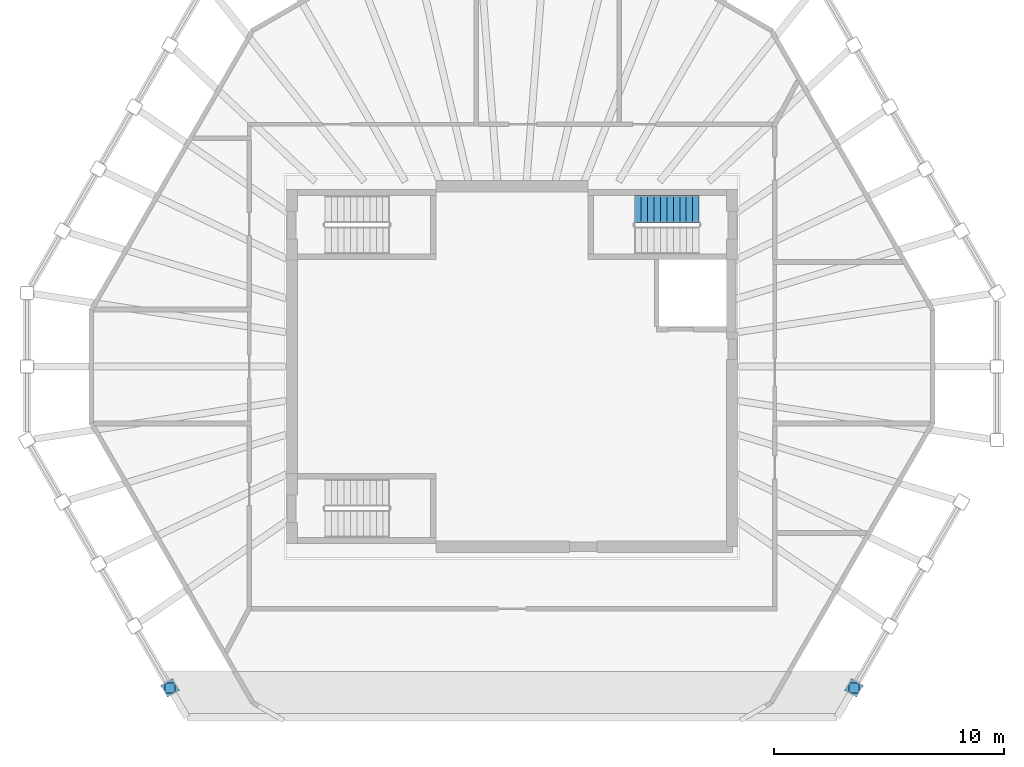
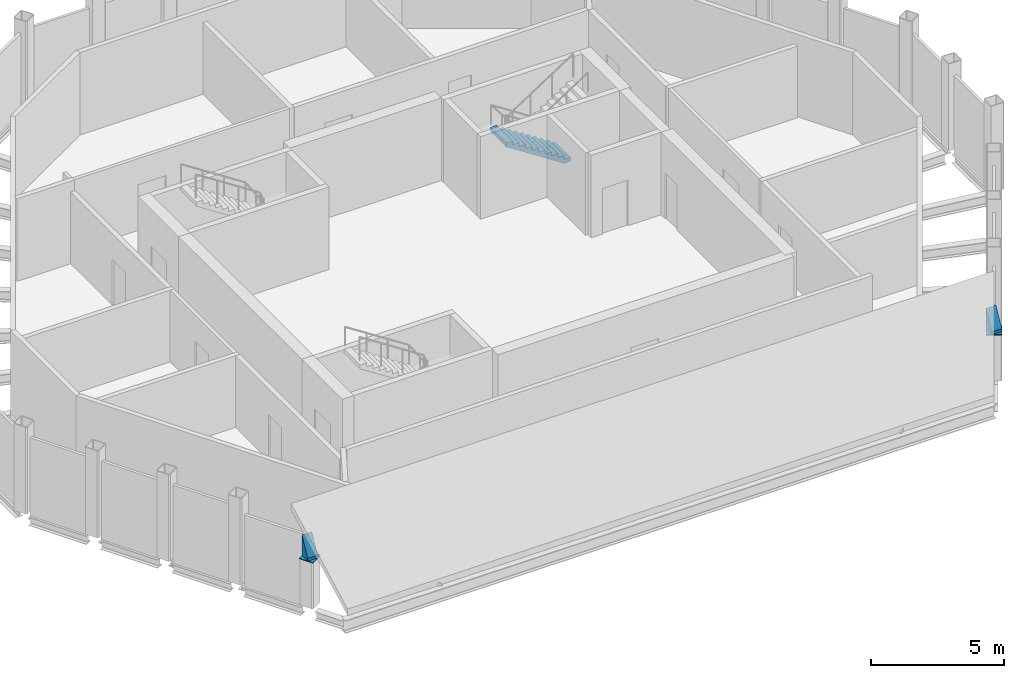
# One storey, part 4 of 5: 4 discrete accessories, 1 stair flight, 1 element without a shape of its own.
"""IFC4 building model written with IfcOpenShell, lengths in metres."""

from ifc_helpers import new_model, si_unit, direction, frame, origin, origin_2d, place, context, subcontext, project, spatial, polyline, rectangle, outline, extrude, material, layer, layer_set, type_object, element, aggregate, save


model = new_model("IFC4")

# Units and contexts
model_context = context("Model", 3, precision=1e-05, world=origin(), true_north=direction((0.0, 1.0)))
body_context = subcontext(model_context, "Body", "Model", "MODEL_VIEW")
ifc_project = project(units=[si_unit("LENGTHUNIT", "METRE"), si_unit("AREAUNIT", "SQUARE_METRE"), si_unit("VOLUMEUNIT", "CUBIC_METRE"), si_unit("PLANEANGLEUNIT", "RADIAN"), si_unit("MASSUNIT", "GRAM", prefix="KILO")], contexts=[model_context])

# Site, building, storey
site_placement = place(None, origin())
site = spatial("IfcSite", under=ifc_project, at=site_placement, CompositionType="ELEMENT")
building_placement = place(site_placement, origin())
building = spatial("IfcBuilding", under=site, at=building_placement, Name="Frailejon Research Tower", CompositionType="ELEMENT")
storey_placement = place(building_placement, frame((0.0, 0.0, 348.60009765625)))
storey = spatial("IfcBuildingStorey", under=building, at=storey_placement, Name="L78", CompositionType="ELEMENT", Elevation=348.60009765625)

# Stair, stair flight
ifc_material_1 = material(Name="Concrete C50/60", Category="concrete")
stair_type = type_object("IfcStairType", Name="Exit stair 22 risers", PredefinedType="HALF_TURN_STAIR", material=ifc_material_1)
stair_placement = place(storey_placement, origin())
stair = element("IfcStair", 1, at=stair_placement, inside=storey, type_object=stair_type, Name="L78 Exit stair ST3", PredefinedType="HALF_TURN_STAIR")
ifc_material_2 = material(Name="Concrete C50/60", Category="concrete")
ifc_layer = layer(ifc_material_2, 0.14990234375)
ifc_layer_set = layer_set([ifc_layer], Name="Stair flight 11 risers")
stair_flight_type = type_object("IfcStairFlightType", Name="Stair flight 11 risers", PredefinedType="STRAIGHT", material=ifc_layer_set)
stair_flight_placement = place(storey_placement, frame((8.14990234375, 6.85009765625, 0.0), z_axis=(0.0, 0.0, 1.0), x_axis=(-1.0, 0.0, 0.0)))
stair_flight = element("IfcStairFlight", 2, at=stair_flight_placement, type_object=stair_flight_type, Name="ST3 flight 1", NumberOfRisers=11, NumberOfTreads=10, PredefinedType="STRAIGHT", RiserHeight=0.181818182, TreadLength=0.28, context=body_context, shape_type="SweptSolid", body=[
    extrude(outline(polyline([(0.0, 0.0), (0.0, 0.181884765625), (0.280029296875, 0.181884765625), (0.280029296875, 0.363525390625), (0.56005859375, 0.363525390625), (0.56005859375, 0.54541015625), (0.840087890625, 0.54541015625), (0.840087890625, 0.727294921875), (1.1201171875, 0.727294921875), (1.1201171875, 0.9091796875), (1.39990234375, 0.9091796875), (1.39990234375, 1.0908203125), (1.679931640625, 1.0908203125), (1.679931640625, 1.272705078125), (1.9599609375, 1.272705078125), (1.9599609375, 1.45458984375), (2.239990234375, 1.45458984375), (2.239990234375, 1.636474609375), (2.52001953125, 1.636474609375), (2.52001953125, 1.818115234375), (2.800048828125, 1.818115234375), (2.800048828125, 2.0), (2.800048828125, 1.639404296875), (0.275146484375, 0.0), (0.0, 0.0)])), frame((0.0, 0.60009765625, 0.0), z_axis=(0.0, -1.0, 0.0), x_axis=(1.0, 0.0, 0.0)), (0.0, 0.0, 1.0), 1.199951171875),
])
aggregate(stair, [stair_flight])

# Discrete accessories
for number, where, z_axis, x_axis, name in (
    (3, (-15.1171875, -13.996337890625, 2.111328125), (1.0, 0.0, 0.0), (0.0, 1.0, 0.0), "Crown column bearing wedge"),
    (4, (14.677978515625, -13.996337890625, 2.111328125), (1.0, 0.0, 0.0), (0.0, 1.0, 0.0), "Crown column bearing wedge"),
):
    element("IfcDiscreteAccessory", number, at=place(storey_placement, frame(where, z_axis=z_axis, x_axis=x_axis)), inside=storey, Name=name, PredefinedType="ANCHORPLATE", context=body_context, shape_type="SweptSolid", body=[
        extrude(outline(polyline([(-0.219482421875, 0.0), (0.219482421875, 0.0), (0.219482421875, 0.977294921875), (-0.219482421875, 0.151123046875), (-0.219482421875, 0.0)])), origin(), (0.0, 0.0, 1.0), 0.439208984375),
    ])
for number, where, z_axis, x_axis, name in (
    (5, (-14.897705078125, -13.996337890625, 2.111328125), (0.0, 0.0, 1.0), (0.5, -0.866025403784, 0.0), "Crown column end plate"),
    (6, (14.897705078125, -13.996337890625, 2.111328125), (0.0, 0.0, 1.0), (0.5, 0.866025403784, 0.0), "Crown column end plate"),
):
    element("IfcDiscreteAccessory", number, at=place(storey_placement, frame(where, z_axis=z_axis, x_axis=x_axis)), inside=storey, Name=name, PredefinedType="ANCHORPLATE", context=body_context, shape_type="SweptSolid", body=[
        extrude(rectangle(XDim=0.60009765625, YDim=0.60009765625, at=origin_2d()), origin(), (0.0, 0.0, 1.0), 0.030029296875),
    ])

save(model, "model.ifc")
